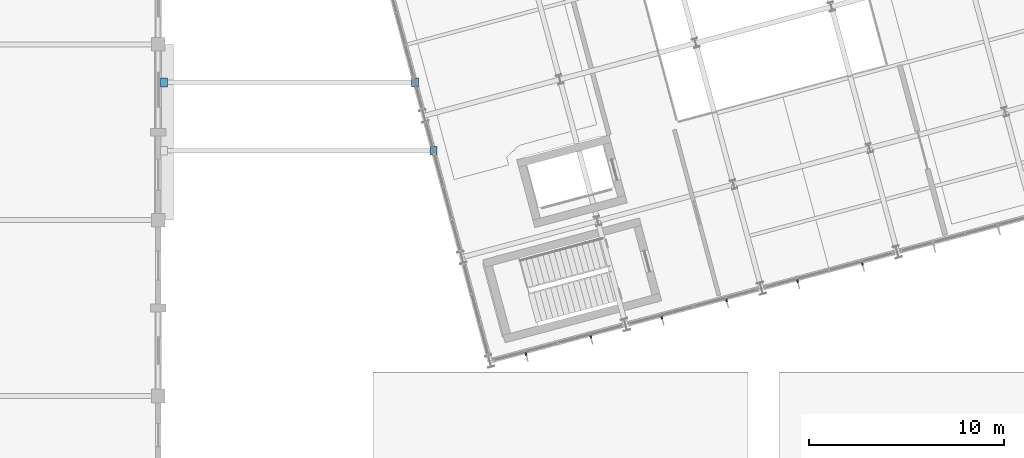
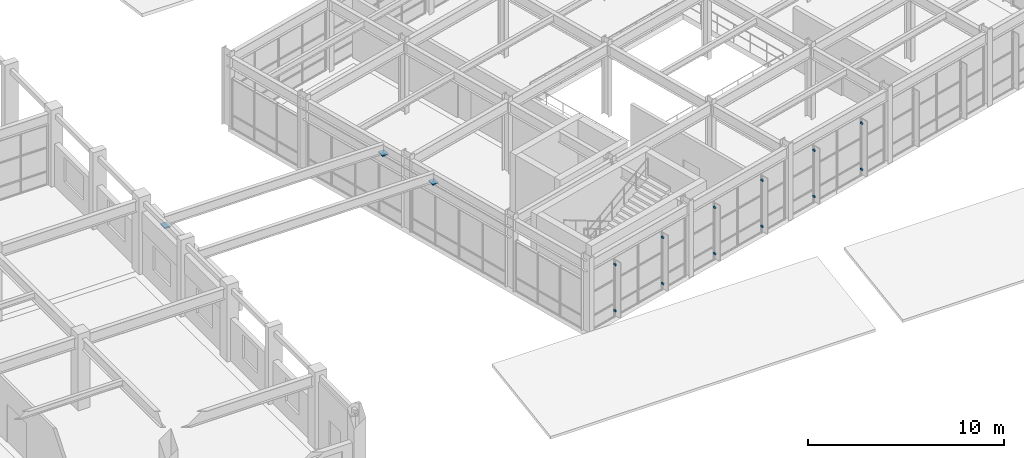
# One storey, part 91 of 104: 15 discrete accessories.
"""IFC4 building model written with IfcOpenShell, lengths in metres."""

from ifc_helpers import new_model, si_unit, direction, frame, origin, origin_2d, place, context, subcontext, project, spatial, rectangle, extrude, material, type_object, element, save


model = new_model("IFC4")

# Units and contexts
model_context = context("Model", 3, precision=1e-05, world=origin(), true_north=direction((0.0, 1.0)))
body_context = subcontext(model_context, "Body", "Model", "MODEL_VIEW")
ifc_project = project(units=[si_unit("LENGTHUNIT", "METRE"), si_unit("AREAUNIT", "SQUARE_METRE"), si_unit("VOLUMEUNIT", "CUBIC_METRE"), si_unit("PLANEANGLEUNIT", "RADIAN"), si_unit("MASSUNIT", "GRAM", prefix="KILO")], contexts=[model_context])

# Site, building, storey
site_placement = place(None, origin())
site = spatial("IfcSite", under=ifc_project, at=site_placement, CompositionType="ELEMENT")
building_placement = place(site_placement, origin())
building = spatial("IfcBuilding", under=site, at=building_placement, Name="Ventoquebrada Cableway Terminal", CompositionType="ELEMENT")
storey_placement = place(building_placement, frame((0.0, 0.0, 4.800048828125)))
storey = spatial("IfcBuildingStorey", under=building, at=storey_placement, Name="L01", CompositionType="ELEMENT", Elevation=4.800048828125)

# Discrete accessories
ifc_material_1 = material(Name="Anodized thermally-broken aluminium", Category="aluminium")
discrete_accessory_type_1 = type_object("IfcDiscreteAccessoryType", Name="BRK-01", PredefinedType="BRACKET", material=ifc_material_1)
for number, where, z_axis, x_axis, name in (
    (1, (53.8291015625, 70.156005859375, 0.389892578125), (0.0, 0.0, 1.0), (0.96593486019, 0.258785327773, 0.0), "Sunshade bracket FN-062"),
    (2, (53.8291015625, 70.156005859375, 3.27197265625), (0.0, 0.0, 1.0), (0.96593486019, 0.258785327773, 0.0), "Sunshade bracket FN-062"),
    (3, (57.14404296875, 71.0439453125, 0.389892578125), (0.0, 0.0, 1.0), (0.96593486019, 0.258785327773, 0.0), "Sunshade bracket FN-063"),
    (4, (57.14404296875, 71.0439453125, 3.27197265625), (0.0, 0.0, 1.0), (0.96593486019, 0.258785327773, 0.0), "Sunshade bracket FN-063"),
    (5, (60.783935546875, 72.02001953125, 0.389892578125), (0.0, 0.0, 1.0), (0.965961954829, 0.258684173892, 0.0), "Sunshade bracket FN-064"),
    (6, (60.783935546875, 72.02001953125, 3.27197265625), (0.0, 0.0, 1.0), (0.965961954829, 0.258684173892, 0.0), "Sunshade bracket FN-064"),
    (7, (64.097900390625, 72.906982421875, 0.389892578125), (0.0, 0.0, 1.0), (0.965961954829, 0.258684173892, 0.0), "Sunshade bracket FN-065"),
    (8, (64.097900390625, 72.906982421875, 3.27197265625), (0.0, 0.0, 1.0), (0.965961954829, 0.258684173892, 0.0), "Sunshade bracket FN-065"),
    (9, (67.738037109375, 73.883056640625, 0.389892578125), (0.0, 0.0, 1.0), (0.96593486019, 0.258785327773, 0.0), "Sunshade bracket FN-066"),
    (10, (67.738037109375, 73.883056640625, 3.27197265625), (0.0, 0.0, 1.0), (0.96593486019, 0.258785327773, 0.0), "Sunshade bracket FN-066"),
    (11, (71.052978515625, 74.77099609375, 0.389892578125), (0.0, 0.0, 1.0), (0.96593486019, 0.258785327773, 0.0), "Sunshade bracket FN-067"),
    (12, (71.052978515625, 74.77099609375, 3.27197265625), (0.0, 0.0, 1.0), (0.96593486019, 0.258785327773, 0.0), "Sunshade bracket FN-067"),
):
    element("IfcDiscreteAccessory", number, at=place(storey_placement, frame(where, z_axis=z_axis, x_axis=x_axis)), inside=storey, type_object=discrete_accessory_type_1, Name=name, PredefinedType="BRACKET", context=body_context, shape_type="SweptSolid", body=[
        extrude(rectangle(XDim=0.080078125, YDim=0.159912109375, at=origin_2d()), origin(), (0.0, 0.0, 1.0), 0.1201171875),
    ])
ifc_material_2 = material(Name="Steel ASTM A500 Grade C", Category="steel")
discrete_accessory_type_2 = type_object("IfcDiscreteAccessoryType", Name="FB-1", PredefinedType="SHOE", material=ifc_material_2)
for number, where, z_axis, x_axis, name in (
    (13, (49.093017578125, 80.550048828125, 3.802490234375), (0.0, 0.0, 1.0), (1.0, 0.0, 0.0), "Pinned bridge bearing FB-1 (LP-2)"),
    (14, (48.155029296875, 84.050048828125, 3.802490234375), (0.0, 0.0, 1.0), (1.0, 0.0, 0.0), "Pinned bridge bearing FB-1 (LP-2)"),
):
    element("IfcDiscreteAccessory", number, at=place(storey_placement, frame(where, z_axis=z_axis, x_axis=x_axis)), inside=storey, type_object=discrete_accessory_type_2, Name=name, PredefinedType="SHOE", context=body_context, shape_type="SweptSolid", body=[
        extrude(rectangle(XDim=0.35009765625, YDim=0.449951171875, at=origin_2d()), origin(), (0.0, 0.0, 1.0), 0.06494140625),
    ])
ifc_material_3 = material(Name="Elastomeric PTFE bearing assembly")
discrete_accessory_type_3 = type_object("IfcDiscreteAccessoryType", Name="SB-1", PredefinedType="SHOE", material=ifc_material_3)
discrete_accessory_placement = place(storey_placement, frame((35.300048828125, 84.050048828125, 3.802490234375), z_axis=(0.0, 0.0, 1.0), x_axis=(1.0, 0.0, 0.0)))
element("IfcDiscreteAccessory", 15, at=discrete_accessory_placement, inside=storey, type_object=discrete_accessory_type_3, Name="Unguided PTFE sliding bearing SB-1 (LP-2)", PredefinedType="SHOE", context=body_context, shape_type="SweptSolid", body=[
    extrude(rectangle(XDim=0.35009765625, YDim=0.449951171875, at=origin_2d()), origin(), (0.0, 0.0, 1.0), 0.06494140625),
])

save(model, "model.ifc")
